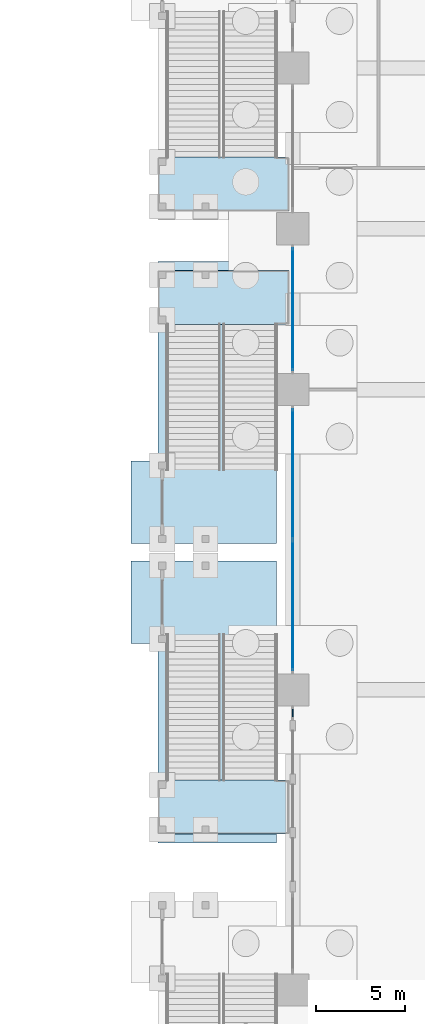
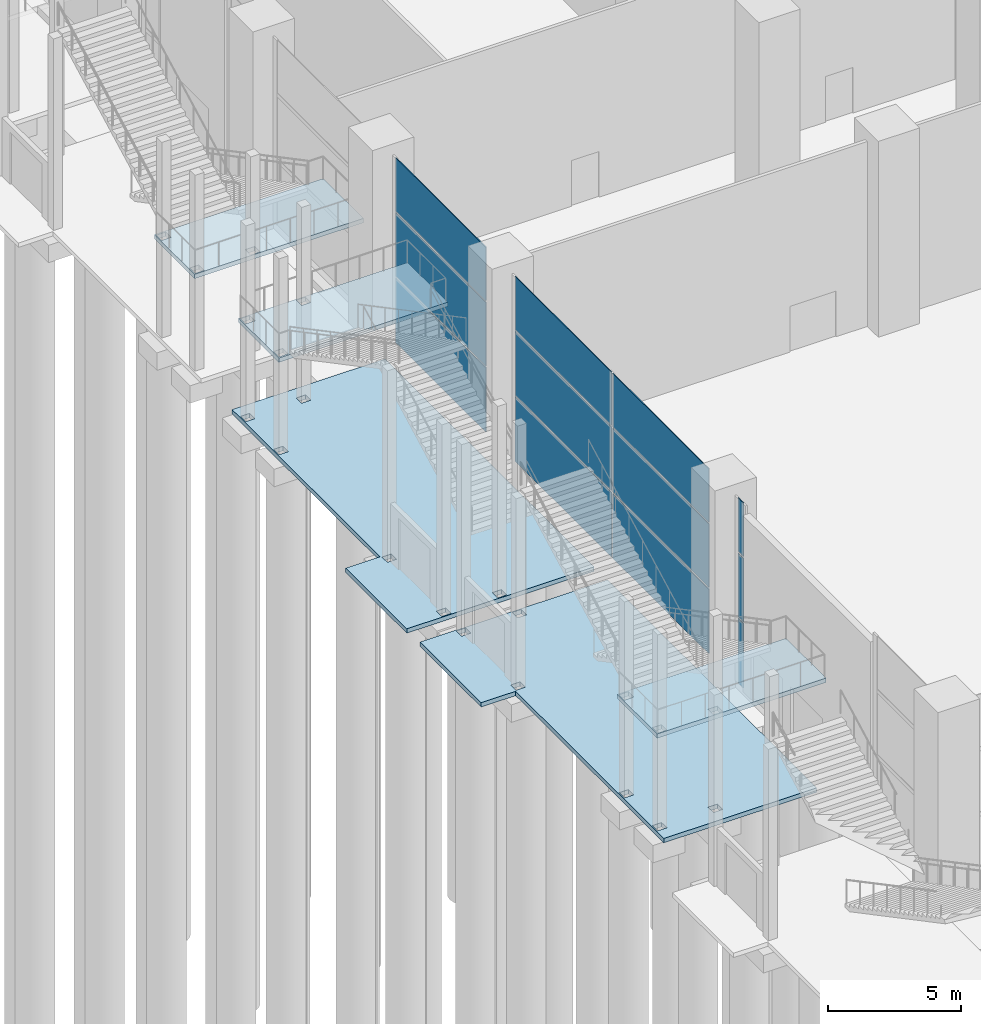
# One storey, part 34 of 72: 12 plates, 5 slabs, 6 elements without a shape of their own.
"""IFC4 building model written with IfcOpenShell, lengths in metres."""

from ifc_helpers import new_model, si_unit, direction, frame, origin, origin_2d, place, context, subcontext, project, spatial, polyline, rectangle, outline, extrude, material, layer, layer_set, type_object, element, aggregate, save


model = new_model("IFC4")

# Units and contexts
model_context = context("Model", 3, precision=1e-05, world=origin(), true_north=direction((0.0, 1.0)))
body_context = subcontext(model_context, "Body", "Model", "MODEL_VIEW")
ifc_project = project(units=[si_unit("LENGTHUNIT", "METRE"), si_unit("AREAUNIT", "SQUARE_METRE"), si_unit("VOLUMEUNIT", "CUBIC_METRE"), si_unit("PLANEANGLEUNIT", "RADIAN"), si_unit("MASSUNIT", "GRAM", prefix="KILO")], contexts=[model_context])

# Site, building, storey
site_placement = place(None, origin())
site = spatial("IfcSite", under=ifc_project, at=site_placement, CompositionType="ELEMENT")
building_placement = place(site_placement, origin())
building = spatial("IfcBuilding", under=site, at=building_placement, Name="Candeia Pilgrim Tower and Theatre", CompositionType="ELEMENT")
storey_placement = place(building_placement, origin())
storey = spatial("IfcBuildingStorey", under=building, at=storey_placement, Name="L00", CompositionType="ELEMENT", Elevation=0.0)

# Curtain wall, plates
ifc_material_1 = material(Name="Aluminium framed podium glazing", Category="aluminium")
curtain_wall_type = type_object("IfcCurtainWallType", Name="CW-P curtain wall", PredefinedType="NOTDEFINED", material=ifc_material_1)
curtain_wall_1_placement = place(storey_placement, origin())
curtain_wall_1 = element("IfcCurtainWall", 1, at=curtain_wall_1_placement, inside=storey, type_object=curtain_wall_type, Name="Curtain wall CW-P L00.001", PredefinedType="NOTDEFINED")
ifc_material_2 = material(Name="Laminated low-iron glass 2 x 8 mm", Category="glass")
ifc_layer_1 = layer(ifc_material_2, 0.035888671875)
ifc_layer_set_1 = layer_set([ifc_layer_1], Name="CW-P glass panel 36")
plate_type = type_object("IfcPlateType", Name="CW-P glass panel 36", PredefinedType="CURTAIN_PANEL", material=ifc_layer_set_1)
plate_1_placement = place(storey_placement, frame((58.800048828125, 79.89990234375, 0.0), z_axis=(0.0, 0.0, 1.0), x_axis=(0.0, 1.0, 0.0)))
plate_1 = element("IfcPlate", 2, at=plate_1_placement, type_object=plate_type, Name="CW-P panel 1.1", PredefinedType="CURTAIN_PANEL", context=body_context, shape_type="SweptSolid", body=[
    extrude(rectangle(XDim=0.419921875, YDim=0.035888671875, at=origin_2d()), origin(), (0.0, 0.0, 1.0), 2.9599609375),
])
plate_2_placement = place(storey_placement, frame((58.800048828125, 79.89990234375, 3.0400390625), z_axis=(0.0, 0.0, 1.0), x_axis=(0.0, 1.0, 0.0)))
plate_2 = element("IfcPlate", 3, at=plate_2_placement, type_object=plate_type, Name="CW-P panel 1.2", PredefinedType="CURTAIN_PANEL", context=body_context, shape_type="SweptSolid", body=[
    extrude(rectangle(XDim=0.419921875, YDim=0.035888671875, at=origin_2d()), origin(), (0.0, 0.0, 1.0), 2.919921875),
])
plate_3_placement = place(storey_placement, frame((58.800048828125, 79.89990234375, 6.0400390625), z_axis=(0.0, 0.0, 1.0), x_axis=(0.0, 1.0, 0.0)))
plate_3 = element("IfcPlate", 4, at=plate_3_placement, type_object=plate_type, Name="CW-P panel 1.3", PredefinedType="CURTAIN_PANEL", context=body_context, shape_type="SweptSolid", body=[
    extrude(rectangle(XDim=0.419921875, YDim=0.035888671875, at=origin_2d()), origin(), (0.0, 0.0, 1.0), 2.4599609375),
])
aggregate(curtain_wall_1, [plate_1, plate_2, plate_3])

curtain_wall_2_placement = place(storey_placement, origin())
curtain_wall_2 = element("IfcCurtainWall", 5, at=curtain_wall_2_placement, inside=storey, type_object=curtain_wall_type, Name="Curtain wall CW-P L00.010", PredefinedType="NOTDEFINED")
plate_4_placement = place(storey_placement, frame((58.800048828125, 85.925048828125, 0.0), z_axis=(0.0, 0.0, 1.0), x_axis=(0.0, 1.0, 0.0)))
plate_4 = element("IfcPlate", 6, at=plate_4_placement, type_object=plate_type, Name="CW-P panel 1.1", PredefinedType="CURTAIN_PANEL", context=body_context, shape_type="SweptSolid", body=[
    extrude(rectangle(XDim=7.27001953125, YDim=0.035888671875, at=origin_2d()), origin(), (0.0, 0.0, 1.0), 2.9599609375),
])
plate_5_placement = place(storey_placement, frame((58.800048828125, 85.925048828125, 3.0400390625), z_axis=(0.0, 0.0, 1.0), x_axis=(0.0, 1.0, 0.0)))
plate_5 = element("IfcPlate", 7, at=plate_5_placement, type_object=plate_type, Name="CW-P panel 1.2", PredefinedType="CURTAIN_PANEL", context=body_context, shape_type="SweptSolid", body=[
    extrude(rectangle(XDim=7.27001953125, YDim=0.035888671875, at=origin_2d()), origin(), (0.0, 0.0, 1.0), 2.919921875),
])
plate_6_placement = place(storey_placement, frame((58.800048828125, 85.925048828125, 6.0400390625), z_axis=(0.0, 0.0, 1.0), x_axis=(0.0, 1.0, 0.0)))
plate_6 = element("IfcPlate", 8, at=plate_6_placement, type_object=plate_type, Name="CW-P panel 1.3", PredefinedType="CURTAIN_PANEL", context=body_context, shape_type="SweptSolid", body=[
    extrude(rectangle(XDim=7.27001953125, YDim=0.035888671875, at=origin_2d()), origin(), (0.0, 0.0, 1.0), 2.4599609375),
])
plate_7_placement = place(storey_placement, frame((58.800048828125, 93.27490234375, 0.0), z_axis=(0.0, 0.0, 1.0), x_axis=(0.0, 1.0, 0.0)))
plate_7 = element("IfcPlate", 9, at=plate_7_placement, type_object=plate_type, Name="CW-P panel 2.1", PredefinedType="CURTAIN_PANEL", context=body_context, shape_type="SweptSolid", body=[
    extrude(rectangle(XDim=7.27001953125, YDim=0.035888671875, at=origin_2d()), origin(), (0.0, 0.0, 1.0), 2.9599609375),
])
plate_8_placement = place(storey_placement, frame((58.800048828125, 93.27490234375, 3.0400390625), z_axis=(0.0, 0.0, 1.0), x_axis=(0.0, 1.0, 0.0)))
plate_8 = element("IfcPlate", 10, at=plate_8_placement, type_object=plate_type, Name="CW-P panel 2.2", PredefinedType="CURTAIN_PANEL", context=body_context, shape_type="SweptSolid", body=[
    extrude(rectangle(XDim=7.27001953125, YDim=0.035888671875, at=origin_2d()), origin(), (0.0, 0.0, 1.0), 2.919921875),
])
plate_9_placement = place(storey_placement, frame((58.800048828125, 93.27490234375, 6.0400390625), z_axis=(0.0, 0.0, 1.0), x_axis=(0.0, 1.0, 0.0)))
plate_9 = element("IfcPlate", 11, at=plate_9_placement, type_object=plate_type, Name="CW-P panel 2.3", PredefinedType="CURTAIN_PANEL", context=body_context, shape_type="SweptSolid", body=[
    extrude(rectangle(XDim=7.27001953125, YDim=0.035888671875, at=origin_2d()), origin(), (0.0, 0.0, 1.0), 2.4599609375),
])
aggregate(curtain_wall_2, [plate_4, plate_5, plate_6, plate_7, plate_8, plate_9])

curtain_wall_3_placement = place(storey_placement, origin())
curtain_wall_3 = element("IfcCurtainWall", 12, at=curtain_wall_3_placement, inside=storey, type_object=curtain_wall_type, Name="Curtain wall CW-P L00.020", PredefinedType="NOTDEFINED")
plate_10_placement = place(storey_placement, frame((58.800048828125, 102.5, 0.0), z_axis=(0.0, 0.0, 1.0), x_axis=(0.0, 1.0, 0.0)))
plate_10 = element("IfcPlate", 13, at=plate_10_placement, type_object=plate_type, Name="CW-P panel 1.1", PredefinedType="CURTAIN_PANEL", context=body_context, shape_type="SweptSolid", body=[
    extrude(rectangle(XDim=6.820068359375, YDim=0.035888671875, at=origin_2d()), origin(), (0.0, 0.0, 1.0), 2.9599609375),
])
plate_11_placement = place(storey_placement, frame((58.800048828125, 102.5, 3.0400390625), z_axis=(0.0, 0.0, 1.0), x_axis=(0.0, 1.0, 0.0)))
plate_11 = element("IfcPlate", 14, at=plate_11_placement, type_object=plate_type, Name="CW-P panel 1.2", PredefinedType="CURTAIN_PANEL", context=body_context, shape_type="SweptSolid", body=[
    extrude(rectangle(XDim=6.820068359375, YDim=0.035888671875, at=origin_2d()), origin(), (0.0, 0.0, 1.0), 2.919921875),
])
plate_12_placement = place(storey_placement, frame((58.800048828125, 102.5, 6.0400390625), z_axis=(0.0, 0.0, 1.0), x_axis=(0.0, 1.0, 0.0)))
plate_12 = element("IfcPlate", 15, at=plate_12_placement, type_object=plate_type, Name="CW-P panel 1.3", PredefinedType="CURTAIN_PANEL", context=body_context, shape_type="SweptSolid", body=[
    extrude(rectangle(XDim=6.820068359375, YDim=0.035888671875, at=origin_2d()), origin(), (0.0, 0.0, 1.0), 2.4599609375),
])
aggregate(curtain_wall_3, [plate_10, plate_11, plate_12])

# Stair, slab
ifc_material_3 = material(Name="Concrete C40/50", Category="concrete")
stair_type = type_object("IfcStairType", Name="ST-EXT external escape stair", PredefinedType="HALF_TURN_STAIR", material=ifc_material_3)
stair_1_placement = place(storey_placement, origin())
stair_1 = element("IfcStair", 16, at=stair_1_placement, inside=storey, type_object=stair_type, Name="L00 External escape stair ES11", PredefinedType="HALF_TURN_STAIR")
ifc_layer_2 = layer(ifc_material_3, 0.199951171875)
ifc_layer_set_2 = layer_set([ifc_layer_2], Name="SL-EXT stair landing")
slab_type_1 = type_object("IfcSlabType", Name="SL-EXT stair landing", PredefinedType="LANDING", material=ifc_layer_set_2)
slab_1_placement = place(storey_placement, frame((0.0, 0.0, 4.300048828125)))
slab_1 = element("IfcSlab", 17, at=slab_1_placement, type_object=slab_type_1, Name="L00 External escape stair ES11 landing", PredefinedType="LANDING", context=body_context, shape_type="SweptSolid", body=[
    extrude(outline(polyline([(58.60009765625, 76.159912109375), (58.60009765625, 73.139892578125), (51.25, 73.139892578125), (51.25, 76.159912109375), (58.60009765625, 76.159912109375)]), holes=[polyline([(51.300048828125, 75.68994140625), (51.699951171875, 75.68994140625), (51.699951171875, 76.090087890625), (51.300048828125, 76.090087890625), (51.300048828125, 75.68994140625)]), polyline([(51.300048828125, 73.18994140625), (51.699951171875, 73.18994140625), (51.699951171875, 73.590087890625), (51.300048828125, 73.590087890625), (51.300048828125, 73.18994140625)]), polyline([(53.72509765625, 73.18994140625), (54.125, 73.18994140625), (54.125, 73.590087890625), (53.72509765625, 73.590087890625), (53.72509765625, 73.18994140625)])]), origin(), (0.0, 0.0, 1.0), 0.199951171875),
])
aggregate(stair_1, [slab_1])

stair_2_placement = place(storey_placement, origin())
stair_2 = element("IfcStair", 18, at=stair_2_placement, inside=storey, type_object=stair_type, Name="L00 External escape stair ES12", PredefinedType="HALF_TURN_STAIR")
slab_2_placement = place(storey_placement, frame((0.0, 0.0, 4.300048828125)))
slab_2 = element("IfcSlab", 19, at=slab_2_placement, type_object=slab_type_1, Name="L00 External escape stair ES12 landing", PredefinedType="LANDING", context=body_context, shape_type="SweptSolid", body=[
    extrude(outline(polyline([(58.60009765625, 101.639892578125), (58.60009765625, 104.659912109375), (51.25, 104.659912109375), (51.25, 101.639892578125), (58.60009765625, 101.639892578125)]), holes=[polyline([(51.300048828125, 101.7099609375), (51.699951171875, 101.7099609375), (51.699951171875, 102.110107421875), (51.300048828125, 102.110107421875), (51.300048828125, 101.7099609375)]), polyline([(51.300048828125, 104.2099609375), (51.699951171875, 104.2099609375), (51.699951171875, 104.610107421875), (51.300048828125, 104.610107421875), (51.300048828125, 104.2099609375)]), polyline([(53.72509765625, 104.2099609375), (54.125, 104.2099609375), (54.125, 104.610107421875), (53.72509765625, 104.610107421875), (53.72509765625, 104.2099609375)])]), origin(), (0.0, 0.0, 1.0), 0.199951171875),
])
aggregate(stair_2, [slab_2])

stair_3_placement = place(storey_placement, origin())
stair_3 = element("IfcStair", 20, at=stair_3_placement, inside=storey, type_object=stair_type, Name="L00 External escape stair ES15", PredefinedType="HALF_TURN_STAIR")
slab_3_placement = place(storey_placement, frame((0.0, 0.0, 4.300048828125)))
slab_3 = element("IfcSlab", 21, at=slab_3_placement, type_object=slab_type_1, Name="L00 External escape stair ES15 landing", PredefinedType="LANDING", context=body_context, shape_type="SweptSolid", body=[
    extrude(outline(polyline([(58.60009765625, 111.010009765625), (58.60009765625, 107.989990234375), (51.25, 107.989990234375), (51.25, 111.010009765625), (58.60009765625, 111.010009765625)]), holes=[polyline([(51.300048828125, 110.5400390625), (51.699951171875, 110.5400390625), (51.699951171875, 110.93994140625), (51.300048828125, 110.93994140625), (51.300048828125, 110.5400390625)]), polyline([(51.300048828125, 108.0400390625), (51.699951171875, 108.0400390625), (51.699951171875, 108.43994140625), (51.300048828125, 108.43994140625), (51.300048828125, 108.0400390625)]), polyline([(53.72509765625, 108.0400390625), (54.125, 108.0400390625), (54.125, 108.43994140625), (53.72509765625, 108.43994140625), (53.72509765625, 108.0400390625)])]), origin(), (0.0, 0.0, 1.0), 0.199951171875),
])
aggregate(stair_3, [slab_3])

# Slabs
ifc_material_4 = material(Name="Concrete C35/45", Category="concrete")
ifc_layer_3 = layer(ifc_material_4, 0.199951171875)
ifc_layer_set_3 = layer_set([ifc_layer_3], Name="Stair ground slab 200")
slab_type_2 = type_object("IfcSlabType", Name="Stair ground slab 200", PredefinedType="BASESLAB", material=ifc_layer_set_3)
slab_4_placement = place(storey_placement, frame((0.0, 0.0, -0.199951171875)))
element("IfcSlab", 22, at=slab_4_placement, inside=storey, type_object=slab_type_2, Name="External escape stair ES11 ground slab", PredefinedType="BASESLAB", context=body_context, shape_type="SweptSolid", body=[
    extrude(outline(polyline([(51.25, 72.639892578125), (51.25, 83.800048828125), (49.75, 83.800048828125), (49.75, 88.39990234375), (57.89990234375, 88.39990234375), (57.89990234375, 84.300048828125), (57.89990234375, 83.800048828125), (57.89990234375, 72.639892578125), (51.25, 72.639892578125)]), holes=[polyline([(51.699951171875, 73.18994140625), (51.699951171875, 73.590087890625), (51.300048828125, 73.590087890625), (51.300048828125, 73.18994140625), (51.699951171875, 73.18994140625)]), polyline([(53.72509765625, 73.18994140625), (54.125, 73.18994140625), (54.125, 73.590087890625), (53.72509765625, 73.590087890625), (53.72509765625, 73.18994140625)]), polyline([(51.300048828125, 75.68994140625), (51.699951171875, 75.68994140625), (51.699951171875, 76.090087890625), (51.300048828125, 76.090087890625), (51.300048828125, 75.68994140625)]), polyline([(51.699951171875, 83.85009765625), (51.699951171875, 84.25), (51.300048828125, 84.25), (51.300048828125, 83.85009765625), (51.699951171875, 83.85009765625)]), polyline([(51.300048828125, 87.949951171875), (51.699951171875, 87.949951171875), (51.699951171875, 88.35009765625), (51.300048828125, 88.35009765625), (51.300048828125, 87.949951171875)]), polyline([(53.72509765625, 87.949951171875), (54.125, 87.949951171875), (54.125, 88.35009765625), (53.72509765625, 88.35009765625), (53.72509765625, 87.949951171875)])]), origin(), (0.0, 0.0, 1.0), 0.199951171875),
])
slab_5_placement = place(storey_placement, frame((0.0, 0.0, -0.199951171875)))
element("IfcSlab", 23, at=slab_5_placement, inside=storey, type_object=slab_type_2, Name="External escape stair ES12 ground slab", PredefinedType="BASESLAB", context=body_context, shape_type="SweptSolid", body=[
    extrude(outline(polyline([(49.75, 94.0), (51.25, 94.0), (51.25, 105.159912109375), (57.89990234375, 105.159912109375), (57.89990234375, 94.0), (57.89990234375, 93.5), (57.89990234375, 89.39990234375), (49.75, 89.39990234375), (49.75, 94.0)]), holes=[polyline([(51.699951171875, 89.449951171875), (51.699951171875, 89.85009765625), (51.300048828125, 89.85009765625), (51.300048828125, 89.449951171875), (51.699951171875, 89.449951171875)]), polyline([(53.72509765625, 89.449951171875), (54.125, 89.449951171875), (54.125, 89.85009765625), (53.72509765625, 89.85009765625), (53.72509765625, 89.449951171875)]), polyline([(51.300048828125, 93.550048828125), (51.699951171875, 93.550048828125), (51.699951171875, 93.949951171875), (51.300048828125, 93.949951171875), (51.300048828125, 93.550048828125)]), polyline([(51.699951171875, 101.7099609375), (51.699951171875, 102.110107421875), (51.300048828125, 102.110107421875), (51.300048828125, 101.7099609375), (51.699951171875, 101.7099609375)]), polyline([(51.300048828125, 104.2099609375), (51.699951171875, 104.2099609375), (51.699951171875, 104.610107421875), (51.300048828125, 104.610107421875), (51.300048828125, 104.2099609375)]), polyline([(53.72509765625, 104.2099609375), (54.125, 104.2099609375), (54.125, 104.610107421875), (53.72509765625, 104.610107421875), (53.72509765625, 104.2099609375)])]), origin(), (0.0, 0.0, 1.0), 0.199951171875),
])

save(model, "model.ifc")
